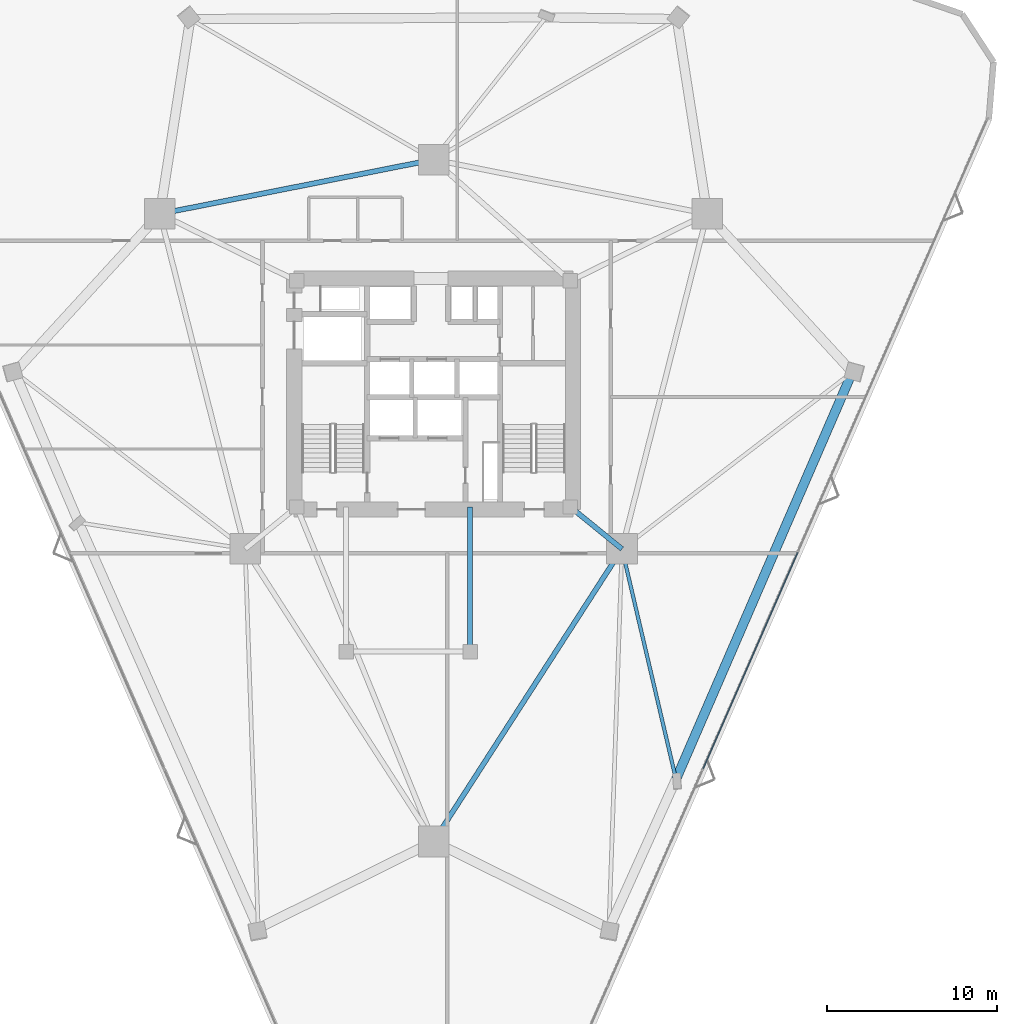
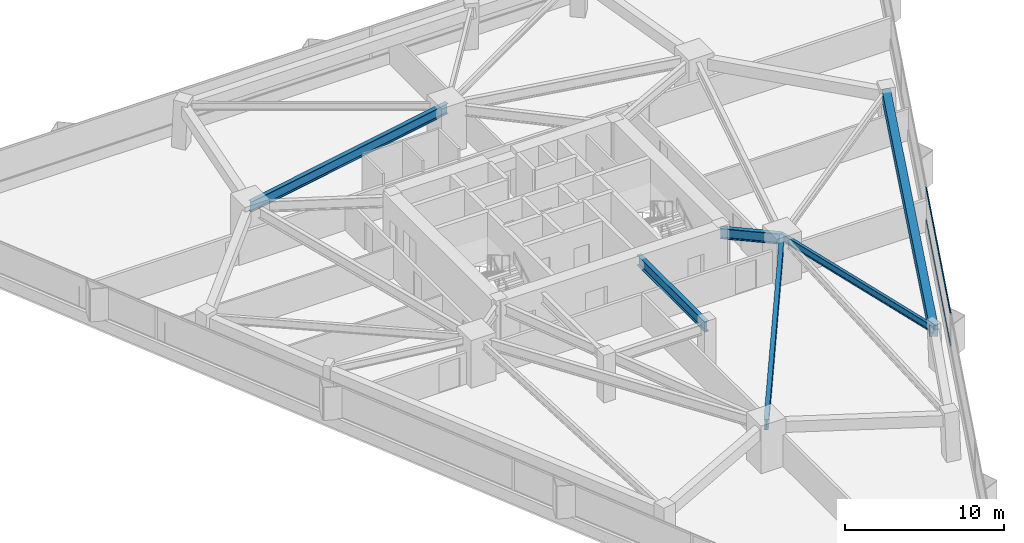
# One storey, part 9 of 20: 6 beams, 2 members, 1 element without a shape of its own.
"""IFC4 building model written with IfcOpenShell, lengths in metres."""

from ifc_helpers import new_model, si_unit, direction, frame, origin, origin_2d, place, context, subcontext, project, spatial, rectangle, i_section, extrude, material, layer, layer_set, material_profile, profile_set, type_object, element, aggregate, save


model = new_model("IFC4")

# Units and contexts
model_context = context("Model", 3, precision=1e-05, world=origin(), true_north=direction((0.0, 1.0)))
body_context = subcontext(model_context, "Body", "Model", "MODEL_VIEW")
ifc_project = project(units=[si_unit("LENGTHUNIT", "METRE"), si_unit("AREAUNIT", "SQUARE_METRE"), si_unit("VOLUMEUNIT", "CUBIC_METRE"), si_unit("PLANEANGLEUNIT", "RADIAN"), si_unit("MASSUNIT", "GRAM", prefix="KILO")], contexts=[model_context])

# Site, building, storey
site_placement = place(None, origin())
site = spatial("IfcSite", under=ifc_project, at=site_placement, CompositionType="ELEMENT")
building_placement = place(site_placement, origin())
building = spatial("IfcBuilding", under=site, at=building_placement, Name="Talyreon Biosciences Tower", CompositionType="ELEMENT")
storey_placement = place(building_placement, frame((0.0, 0.0, 62.949951171875)))
storey = spatial("IfcBuildingStorey", under=building, at=storey_placement, Name="L16", CompositionType="ELEMENT", Elevation=62.949951171875)

# Curtain wall, members
ifc_material_1 = material(Name="Thermally broken aluminium and low-E glazing", Category="aluminium")
ifc_layer = layer(ifc_material_1, 0.195068359375)
ifc_layer_set = layer_set([ifc_layer], Name="Thermally broken aluminium and low-E glazing")
curtain_wall_type = type_object("IfcCurtainWallType", Name="CurtainWall_Zone1WetLab", PredefinedType="NOTDEFINED", material=ifc_layer_set)
curtain_wall_placement = place(storey_placement, origin())
curtain_wall = element("IfcCurtainWall", 1, at=curtain_wall_placement, inside=storey, type_object=curtain_wall_type, Name="L16 Unitised Curtain Wall FCW-L16-08", PredefinedType="NOTDEFINED")
ifc_material_2 = material(Name="Anodised thermally broken aluminium", Category="aluminium")
ifc_material_profile_1 = material_profile(ifc_material_2, rectangle(XDim=0.06494140625, YDim=0.139892578125, at=origin_2d()), Name="ALUM TRANSOM 65x140")
ifc_profile_set_1 = profile_set([ifc_material_profile_1], Name="Anodised thermally broken aluminium")
member_type = type_object("IfcMemberType", Name="CWTransom_65x140", PredefinedType="USERDEFINED", material=ifc_profile_set_1)
member_1_placement = place(storey_placement, frame((87.426513671875, 58.65966796875, 0.842529296875), z_axis=(-0.400962068949, -0.916094656279, 0.0), x_axis=(0.916094656279, -0.400962068949, 0.0)))
member_1 = element("IfcMember", 2, at=member_1_placement, type_object=member_type, Name="CW2 transom 3.1", ObjectType="TRANSOM", PredefinedType="USERDEFINED", context=body_context, shape_type="SweptSolid", body=[
    extrude(rectangle(XDim=0.06494140625, YDim=0.139892578125, at=origin_2d()), origin(), (0.0, 0.0, 1.0), 13.85888671875),
])
member_2_placement = place(storey_placement, frame((87.426513671875, 58.65966796875, 3.267578125), z_axis=(-0.400962068949, -0.916094656279, 0.0), x_axis=(0.916094656279, -0.400962068949, 0.0)))
member_2 = element("IfcMember", 3, at=member_2_placement, type_object=member_type, Name="CW2 transom 3.2", ObjectType="TRANSOM", PredefinedType="USERDEFINED", context=body_context, shape_type="SweptSolid", body=[
    extrude(rectangle(XDim=0.06494140625, YDim=0.139892578125, at=origin_2d()), origin(), (0.0, 0.0, 1.0), 13.85888671875),
])
aggregate(curtain_wall, [member_1, member_2])

# Beams
ifc_material_3 = material(Name="Precast concrete C45/55", Category="concrete")
ifc_material_profile_2 = material_profile(ifc_material_3, rectangle(XDim=0.550048828125, YDim=0.85009765625, at=origin_2d()), Name="RCB 550x850")
ifc_profile_set_2 = profile_set([ifc_material_profile_2], Name="Precast concrete C45/55")
beam_type_1 = type_object("IfcBeamType", Name="ExpressedSpandrel_550x850", PredefinedType="SPANDREL", material=ifc_profile_set_2)
beam_1_placement = place(storey_placement, frame((80.2666015625, 45.326416015625, 2.875), z_axis=(0.397358082274, 0.917663639059, 0.0), x_axis=(-0.917663639059, 0.397358082274, 0.0)))
element("IfcBeam", 4, at=beam_1_placement, inside=storey, type_object=beam_type_1, Name="L16 Expressed Horizontal Concrete Spandrel 03", PredefinedType="SPANDREL", context=body_context, shape_type="SweptSolid", body=[
    extrude(rectangle(XDim=0.550048828125, YDim=0.85009765625, at=origin_2d()), origin(), (0.0, 0.0, 1.0), 26.1044921875),
])
ifc_material_4 = material(Name="Steel SM355", Category="steel")
ifc_material_profile_3 = material_profile(ifc_material_4, i_section(OverallWidth=0.300048828125, OverallDepth=0.800048828125, WebThickness=0.017578125, FlangeThickness=0.032958984375, FilletRadius=0.030029296875, at=origin_2d()), Name="HE800B")
ifc_profile_set_3 = profile_set([ifc_material_profile_3], Name="Steel SM355")
beam_type_2 = type_object("IfcBeamType", Name="SteelGirder_HE800B", PredefinedType="BEAM", material=ifc_profile_set_3)
beam_2_placement = place(storey_placement, frame((66.0, 41.6669921875, 2.900146484375), z_axis=(0.541463723609, 0.840724114092, 0.0), x_axis=(-0.840724114092, 0.541463723609, 0.0)))
element("IfcBeam", 5, at=beam_2_placement, inside=storey, type_object=beam_type_2, Name="L16 Mega-Ring Girder 1", PredefinedType="BEAM", context=body_context, shape_type="SweptSolid", body=[
    extrude(i_section(OverallWidth=0.300048828125, OverallDepth=0.800048828125, WebThickness=0.017578125, FlangeThickness=0.032958984375, FilletRadius=0.030029296875, at=origin_2d()), origin(), (0.0, 0.0, 1.0), 20.474365234375),
])
beam_3_placement = place(storey_placement, frame((66.0, 81.788818359375, 2.900146484375), z_axis=(-0.980933730698, -0.194342522311, 0.0), x_axis=(0.194342522311, -0.980933730698, 0.0)))
element("IfcBeam", 6, at=beam_3_placement, inside=storey, type_object=beam_type_2, Name="L16 Mega-Ring Girder 4", PredefinedType="BEAM", context=body_context, shape_type="SweptSolid", body=[
    extrude(i_section(OverallWidth=0.300048828125, OverallDepth=0.800048828125, WebThickness=0.017578125, FlangeThickness=0.032958984375, FilletRadius=0.030029296875, at=origin_2d()), origin(), (0.0, 0.0, 1.0), 16.415283203125),
])
beam_4_placement = place(storey_placement, frame((74.050048828125, 61.35009765625, 2.900146484375), z_axis=(0.775755154013, -0.631034025249, 0.0), x_axis=(0.631034025249, 0.775755154013, 0.0)))
element("IfcBeam", 7, at=beam_4_placement, inside=storey, type_object=beam_type_2, Name="L16 Radial Primary Girder 2", PredefinedType="BEAM", context=body_context, shape_type="SweptSolid", body=[
    extrude(i_section(OverallWidth=0.300048828125, OverallDepth=0.800048828125, WebThickness=0.017578125, FlangeThickness=0.032958984375, FilletRadius=0.030029296875, at=origin_2d()), origin(), (0.0, 0.0, 1.0), 3.913818359375),
])
beam_5_placement = place(storey_placement, frame((68.14990234375, 52.840087890625, 2.900146484375), z_axis=(0.0, 1.0, 0.0), x_axis=(-1.0, 0.0, 0.0)))
element("IfcBeam", 8, at=beam_5_placement, inside=storey, type_object=beam_type_2, Name="L16 Crown Shaft Tie Girder E", PredefinedType="BEAM", context=body_context, shape_type="SweptSolid", body=[
    extrude(i_section(OverallWidth=0.300048828125, OverallDepth=0.800048828125, WebThickness=0.017578125, FlangeThickness=0.032958984375, FilletRadius=0.030029296875, at=origin_2d()), origin(), (0.0, 0.0, 1.0), 8.510009765625),
])
ifc_material_profile_4 = material_profile(ifc_material_4, i_section(OverallWidth=0.2099609375, OverallDepth=0.550048828125, WebThickness=0.010986328125, FlangeThickness=0.01708984375, FilletRadius=0.02392578125, at=origin_2d()), Name="IPE550")
ifc_profile_set_4 = profile_set([ifc_material_profile_4], Name="Steel SM355")
beam_type_3 = type_object("IfcBeamType", Name="SteelJoist_IPE550", PredefinedType="JOIST", material=ifc_profile_set_4)
beam_6_placement = place(storey_placement, frame((77.086181640625, 58.88037109375, 3.025146484375), z_axis=(0.228444037633, -0.973557045925, 0.0), x_axis=(0.973557045925, 0.228444037633, 0.0)))
element("IfcBeam", 9, at=beam_6_placement, inside=storey, type_object=beam_type_3, Name="L16 Radial Composite Floor Joist PL-SE", PredefinedType="JOIST", context=body_context, shape_type="SweptSolid", body=[
    extrude(i_section(OverallWidth=0.2099609375, OverallDepth=0.550048828125, WebThickness=0.010986328125, FlangeThickness=0.01708984375, FilletRadius=0.02392578125, at=origin_2d()), origin(), (0.0, 0.0, 1.0), 13.922119140625),
])

save(model, "model.ifc")
